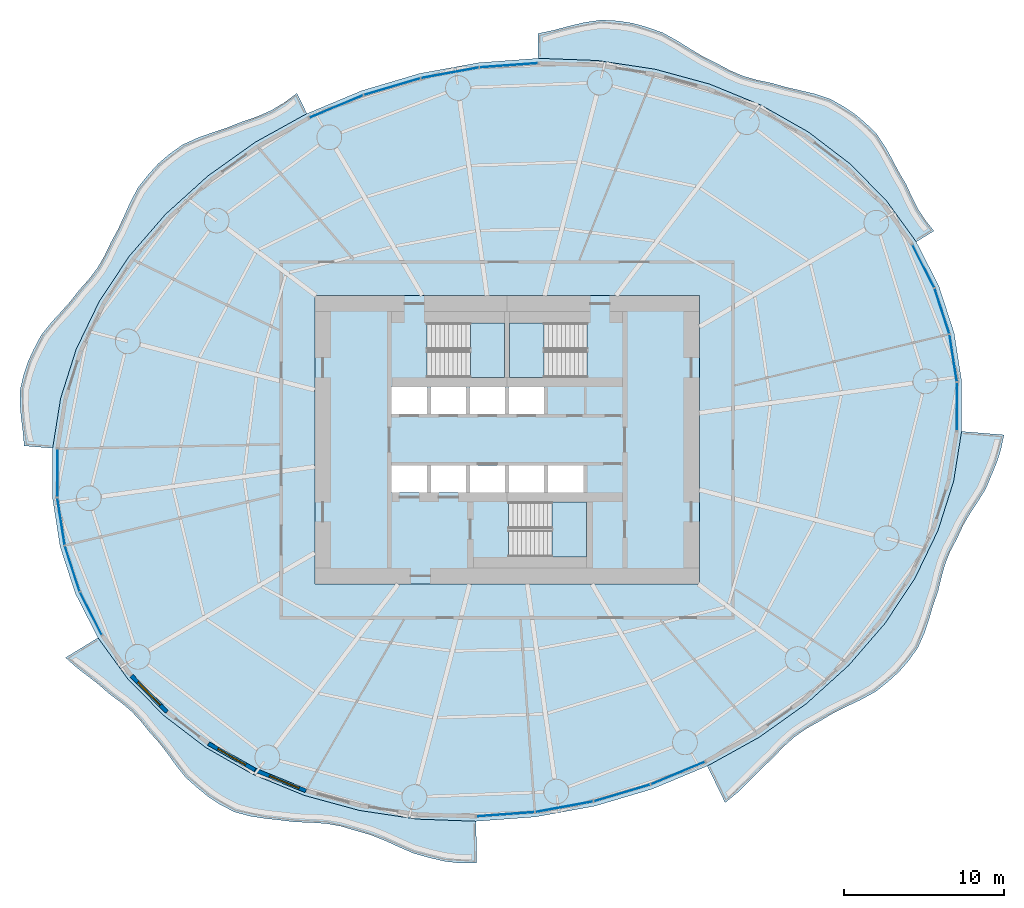
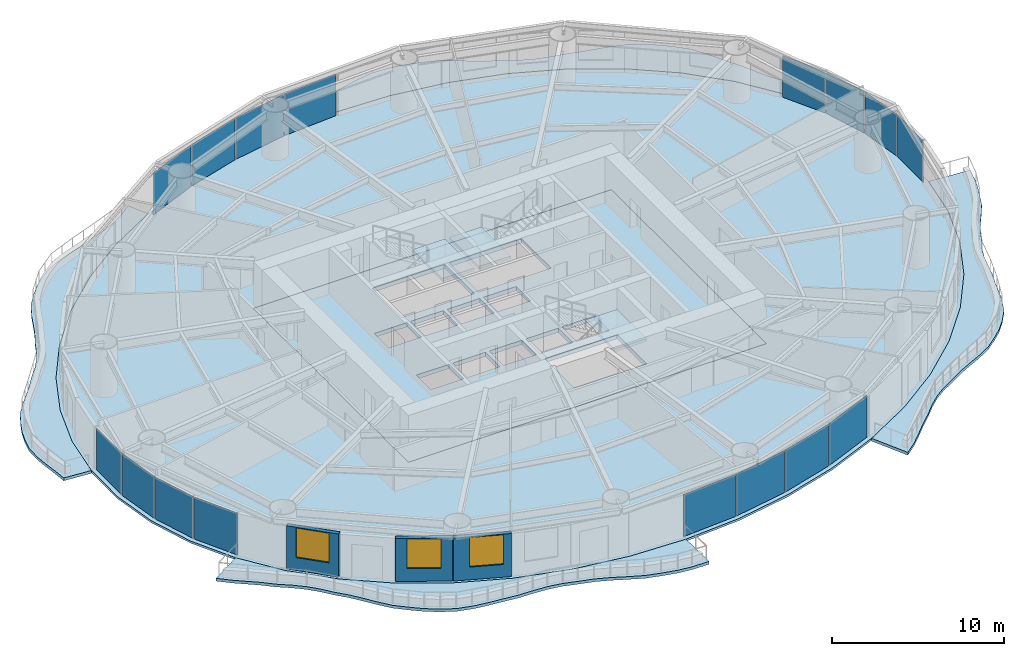
# One storey, part 7 of 16: 16 plates, 9 slabs, 3 walls, 3 windows, 3 openings, 19 elements without a shape of their own.
"""IFC4 building model written with IfcOpenShell, lengths in metres."""

from ifc_helpers import new_model, si_unit, direction, frame, frame_2d, origin, origin_2d, place, context, subcontext, project, spatial, polyline, rectangle, outline, extrude, material, layer, layer_set, type_object, element, fill, aggregate, save


model = new_model("IFC4")

# Units and contexts
model_context = context("Model", 3, precision=1e-05, world=origin(), true_north=direction((0.0, 1.0)))
body_context = subcontext(model_context, "Body", "Model", "MODEL_VIEW")
ifc_project = project(units=[si_unit("LENGTHUNIT", "METRE"), si_unit("AREAUNIT", "SQUARE_METRE"), si_unit("VOLUMEUNIT", "CUBIC_METRE"), si_unit("PLANEANGLEUNIT", "RADIAN"), si_unit("MASSUNIT", "GRAM", prefix="KILO")], contexts=[model_context])

# Site, building, storey
site_placement = place(None, origin())
site = spatial("IfcSite", under=ifc_project, at=site_placement, CompositionType="ELEMENT")
building_placement = place(site_placement, origin())
building = spatial("IfcBuilding", under=site, at=building_placement, Name="Vermilion Reach Broadcast Tower", CompositionType="ELEMENT")
storey_placement = place(building_placement, frame((0.0, 0.0, 88.60009765625)))
storey = spatial("IfcBuildingStorey", under=building, at=storey_placement, Name="L19", CompositionType="ELEMENT", Elevation=88.60009765625)

# Slabs
ifc_material_1 = material(Name="Concrete C40/50", Category="concrete")
ifc_layer_1 = layer(ifc_material_1, 0.199951171875)
ifc_layer_set_1 = layer_set([ifc_layer_1], Name="Balcony slab 200")
slab_type_1 = type_object("IfcSlabType", Name="Balcony slab 200", PredefinedType="FLOOR", material=ifc_layer_set_1)
placement_1 = place(storey_placement, frame((0.0, 0.0, -0.2001953125)))
element("IfcSlab", 1, at=placement_1, inside=storey, type_object=slab_type_1, Name="Balcony slab L19 group 1", PredefinedType="FLOOR", context=body_context, shape_type="SweptSolid", body=[
    extrude(outline(polyline([(19.532470703125, 12.35595703125), (17.682861328125, 14.9072265625), (15.427978515625, 17.203369140625), (12.806640625, 19.205322265625), (9.86328125, 20.87841796875), (6.648681640625, 22.194580078125), (3.217529296875, 23.130615234375), (-0.371337890625, 23.671142578125), (-4.056396484375, 23.806640625), (-4.08447265625, 25.351806640625), (-3.069091796875, 25.5703125), (-2.1376953125, 25.81591796875), (-1.206787109375, 26.041015625), (-0.13525390625, 26.198974609375), (0.918701171875, 26.14453125), (1.8154296875, 26.006103515625), (2.6962890625, 25.762939453125), (3.69873046875, 25.41162109375), (4.621826171875, 24.8994140625), (5.408447265625, 24.405029296875), (6.200927734375, 23.931396484375), (7.08935546875, 23.49169921875), (7.931640625, 23.036376953125), (8.7333984375, 22.70263671875), (9.572021484375, 22.45947265625), (10.533935546875, 22.25732421875), (11.46923828125, 21.990966796875), (12.33154296875, 21.795166015625), (13.189453125, 21.591552734375), (14.171875, 21.2685546875), (15.04052734375, 20.77197265625), (15.7255859375, 20.310546875), (16.356201171875, 19.77783203125), (17.076416015625, 19.0703125), (17.630126953125, 18.23828125), (18.029541015625, 17.502685546875), (18.418701171875, 16.757568359375), (18.902587890625, 15.938232421875), (19.287353515625, 15.097412109375), (19.653564453125, 14.389892578125), (20.082275390625, 13.7275390625), (20.6357421875, 13.032470703125), (19.532470703125, 12.35595703125)])), origin(), (0.0, 0.0, 1.0), 0.2001953125),
])
element("IfcSlab", 2, at=placement_1, inside=storey, type_object=slab_type_1, Name="Balcony slab L19 group 2", PredefinedType="FLOOR", context=body_context, shape_type="SweptSolid", body=[
    extrude(outline(polyline([(-18.4970703125, 20.355712890625), (-21.722900390625, 18.56884765625), (-24.679443359375, 16.464111328125), (-27.316650390625, 14.07763671875), (-29.589111328125, 11.450439453125), (-31.457763671875, 8.62744140625), (-32.890869140625, 5.656494140625), (-33.864013671875, 2.589111328125), (-34.3603515625, -0.522705078125), (-36.135498046875, -0.37890625), (-36.2255859375, 0.572509765625), (-36.32958984375, 1.38671875), (-36.399658203125, 2.19580078125), (-36.382568359375, 3.185791015625), (-36.1435546875, 4.15625), (-35.8818359375, 4.917236328125), (-35.54150390625, 5.6533203125), (-35.08349609375, 6.528076171875), (-34.447509765625, 7.322998046875), (-33.8642578125, 7.957275390625), (-33.28955078125, 8.595458984375), (-32.708740234375, 9.3388671875), (-32.07373046875, 10.050048828125), (-31.565673828125, 10.72900390625), (-31.136474609375, 11.459716796875), (-30.72998046875, 12.31591796875), (-30.260498046875, 13.179443359375), (-29.884765625, 14.00244140625), (-29.514892578125, 14.830810546875), (-29.02734375, 15.75048828125), (-28.37646484375, 16.57421875), (-27.77294921875, 17.232177734375), (-27.099853515625, 17.813720703125), (-26.2509765625, 18.419189453125), (-25.27197265625, 18.86083984375), (-24.381103515625, 19.174072265625), (-23.48291015625, 19.476806640625), (-22.53173828125, 19.852783203125), (-21.563232421875, 20.183349609375), (-20.71728515625, 20.558349609375), (-19.925048828125, 21.03076171875), (-19.1162109375, 21.63427734375), (-18.4970703125, 20.355712890625)])), origin(), (0.0, 0.0, 1.0), 0.2001953125),
])
element("IfcSlab", 3, at=placement_1, inside=storey, type_object=slab_type_1, Name="Balcony slab L19 group 3", PredefinedType="FLOOR", context=body_context, shape_type="SweptSolid", body=[
    extrude(outline(polyline([(-31.532470703125, -12.35595703125), (-29.682861328125, -14.9072265625), (-27.427978515625, -17.203369140625), (-24.806640625, -19.205322265625), (-21.86328125, -20.87841796875), (-18.648681640625, -22.194580078125), (-15.217529296875, -23.130615234375), (-11.628662109375, -23.671142578125), (-7.943603515625, -23.806640625), (-7.89599609375, -26.424072265625), (-8.962158203125, -26.418701171875), (-9.88037109375, -26.30712890625), (-10.795166015625, -26.096923828125), (-11.82861328125, -25.811279296875), (-12.8046875, -25.386962890625), (-13.662841796875, -24.992431640625), (-14.52880859375, -24.650146484375), (-15.481201171875, -24.380859375), (-16.405517578125, -24.107177734375), (-17.28515625, -23.95263671875), (-18.1884765625, -23.88623046875), (-19.21240234375, -23.854248046875), (-20.214599609375, -23.7275390625), (-21.1142578125, -23.63330078125), (-21.9970703125, -23.497314453125), (-23.0068359375, -23.229248046875), (-23.90869140625, -22.763671875), (-24.6181640625, -22.299072265625), (-25.28466796875, -21.7587890625), (-26.049560546875, -21.083740234375), (-26.678955078125, -20.298583984375), (-27.18310546875, -19.60009765625), (-27.7021484375, -18.921142578125), (-28.3310546875, -18.22607421875), (-28.8955078125, -17.51708984375), (-29.45166015625, -16.935546875), (-30.068115234375, -16.413330078125), (-30.81591796875, -15.865234375), (-31.5068359375, -15.256591796875), (-32.158447265625, -14.755859375), (-32.813232421875, -14.257568359375), (-33.556396484375, -13.596923828125), (-31.532470703125, -12.35595703125)])), origin(), (0.0, 0.0, 1.0), 0.2001953125),
])
element("IfcSlab", 4, at=placement_1, inside=storey, type_object=slab_type_1, Name="Balcony slab L19 group 4", PredefinedType="FLOOR", context=body_context, shape_type="SweptSolid", body=[
    extrude(outline(polyline([(6.4970703125, -20.355712890625), (9.722900390625, -18.56884765625), (12.679443359375, -16.464111328125), (15.316650390625, -14.07763671875), (17.589111328125, -11.450439453125), (19.457763671875, -8.62744140625), (20.890869140625, -5.656494140625), (21.864013671875, -2.589111328125), (22.3603515625, 0.522705078125), (25.0087890625, 0.30810546875), (24.80126953125, -0.664306640625), (24.55126953125, -1.422119140625), (24.2412109375, -2.17041015625), (23.86865234375, -3.06396484375), (23.345947265625, -3.903076171875), (22.885986328125, -4.601318359375), (22.46875, -5.31298828125), (22.087890625, -6.13232421875), (21.6591796875, -6.942626953125), (21.350830078125, -7.70947265625), (21.11669921875, -8.51220703125), (20.892578125, -9.443359375), (20.57080078125, -10.379150390625), (20.31689453125, -11.22607421875), (20.040283203125, -12.05810546875), (19.624755859375, -12.99462890625), (19.018310546875, -13.8349609375), (18.44482421875, -14.487060546875), (17.7978515625, -15.07568359375), (16.9951171875, -15.718994140625), (16.06298828125, -16.2275390625), (15.22265625, -16.6240234375), (14.394775390625, -17.034423828125), (13.544677734375, -17.540283203125), (12.675048828125, -18.022216796875), (11.932373046875, -18.543701171875), (11.25146484375, -19.15185546875), (10.552001953125, -19.885009765625), (9.793701171875, -20.599365234375), (9.122802734375, -21.290771484375), (8.441162109375, -21.962646484375), (7.6064453125, -22.646484375), (6.4970703125, -20.355712890625)])), origin(), (0.0, 0.0, 1.0), 0.2001953125),
])
ifc_material_2 = material(Name="Concrete C40", Category="concrete")
ifc_layer_2 = layer(ifc_material_2, 0.300048828125)
ifc_layer_set_2 = layer_set([ifc_layer_2], Name="Core floor slab 300 mm Concrete C40")
slab_type_2 = type_object("IfcSlabType", Name="Core floor slab 300 mm Concrete C40", PredefinedType="FLOOR", material=ifc_layer_set_2)
slab_5_placement = place(storey_placement, frame((0.0, 0.0, -0.300048828125)))
element("IfcSlab", 5, at=slab_5_placement, inside=storey, type_object=slab_type_2, Name="L19 core floor", PredefinedType="FLOOR", context=body_context, shape_type="SweptSolid", body=[
    extrude(outline(polyline([(-18.0, -9.0), (6.0, -9.0), (6.0, 9.0), (-18.0, 9.0), (-18.0, -9.0)]), holes=[polyline([(-13.199951171875, 1.60009765625), (-11.00830078125, 1.60009765625), (-11.00830078125, 3.280029296875), (-13.199951171875, 3.280029296875), (-13.199951171875, 1.60009765625)]), polyline([(-10.75830078125, 1.60009765625), (-8.566650390625, 1.60009765625), (-8.566650390625, 3.280029296875), (-10.75830078125, 3.280029296875), (-10.75830078125, 1.60009765625)]), polyline([(-8.316650390625, 1.60009765625), (-6.125, 1.60009765625), (-6.125, 3.280029296875), (-8.316650390625, 3.280029296875), (-8.316650390625, 1.60009765625)]), polyline([(-5.875, 1.60009765625), (-3.683349609375, 1.60009765625), (-3.683349609375, 3.280029296875), (-5.875, 3.280029296875), (-5.875, 1.60009765625)]), polyline([(-13.199951171875, -3.280029296875), (-11.00830078125, -3.280029296875), (-11.00830078125, -1.60009765625), (-13.199951171875, -1.60009765625), (-13.199951171875, -3.280029296875)]), polyline([(-10.75830078125, -3.280029296875), (-8.566650390625, -3.280029296875), (-8.566650390625, -1.60009765625), (-10.75830078125, -1.60009765625), (-10.75830078125, -3.280029296875)]), polyline([(-8.316650390625, -3.280029296875), (-6.125, -3.280029296875), (-6.125, -1.60009765625), (-8.316650390625, -1.60009765625), (-8.316650390625, -3.280029296875)]), polyline([(-5.875, -3.280029296875), (-3.683349609375, -3.280029296875), (-3.683349609375, -1.60009765625), (-5.875, -1.60009765625), (-5.875, -3.280029296875)]), polyline([(-3.433349609375, -3.280029296875), (-1.24169921875, -3.280029296875), (-1.24169921875, -1.60009765625), (-3.433349609375, -1.60009765625), (-3.433349609375, -3.280029296875)]), polyline([(-10.999267578125, 3.8798828125), (-6.14990234375, 3.8798828125), (-6.14990234375, 7.300048828125), (-10.999267578125, 7.300048828125), (-10.999267578125, 3.8798828125)]), polyline([(-1.000732421875, 7.300048828125), (-5.85009765625, 7.300048828125), (-5.85009765625, 3.8798828125), (-1.000732421875, 3.8798828125), (-1.000732421875, 7.300048828125)]), polyline([(-5.8994140625, -7.300048828125), (-1.050048828125, -7.300048828125), (-1.050048828125, -3.8798828125), (-5.8994140625, -3.8798828125), (-5.8994140625, -7.300048828125)])]), origin(), (0.0, 0.0, 1.0), 0.300048828125),
])

# Stair, slab
ifc_material_3 = material(Name="Concrete C40", Category="concrete")
stair_type = type_object("IfcStairType", Name="Exit stair RC 22 risers 164 mm", PredefinedType="HALF_TURN_STAIR", material=ifc_material_3)
placement_2 = place(storey_placement, origin())
stair_1 = element("IfcStair", 6, at=placement_2, inside=storey, type_object=stair_type, Name="L19 Exit stair ST1", PredefinedType="HALF_TURN_STAIR")
ifc_material_4 = material(Name="Concrete C40", Category="concrete")
ifc_layer_3 = layer(ifc_material_4, 0.199951171875)
ifc_layer_set_3 = layer_set([ifc_layer_3], Name="Exit stair landing Concrete C40")
slab_type_3 = type_object("IfcSlabType", Name="Exit stair landing Concrete C40", PredefinedType="LANDING", material=ifc_layer_set_3)
placement_3 = place(storey_placement, frame((0.0, 0.0, 1.599853515625)))
slab_6 = element("IfcSlab", 7, at=placement_3, type_object=slab_type_3, Name="ST1 landing 1", PredefinedType="LANDING", context=body_context, shape_type="SweptSolid", body=[
    extrude(outline(polyline([(-8.300048828125, 3.8798828125), (-6.14990234375, 3.8798828125), (-6.14990234375, 7.300048828125), (-8.300048828125, 7.300048828125), (-8.300048828125, 3.8798828125)])), origin(), (0.0, 0.0, 1.0), 0.199951171875),
])
aggregate(stair_1, [slab_6])

stair_2 = element("IfcStair", 8, at=placement_2, inside=storey, type_object=stair_type, Name="L19 Exit stair ST2", PredefinedType="HALF_TURN_STAIR")
slab_7 = element("IfcSlab", 9, at=placement_3, type_object=slab_type_3, Name="ST2 landing 1", PredefinedType="LANDING", context=body_context, shape_type="SweptSolid", body=[
    extrude(outline(polyline([(-3.699951171875, 7.300048828125), (-5.85009765625, 7.300048828125), (-5.85009765625, 3.8798828125), (-3.699951171875, 3.8798828125), (-3.699951171875, 7.300048828125)])), origin(), (0.0, 0.0, 1.0), 0.199951171875),
])
aggregate(stair_2, [slab_7])

stair_3 = element("IfcStair", 10, at=placement_2, inside=storey, type_object=stair_type, Name="L19 Exit stair ST3", PredefinedType="HALF_TURN_STAIR")
slab_8 = element("IfcSlab", 11, at=placement_3, type_object=slab_type_3, Name="ST3 landing 1", PredefinedType="LANDING", context=body_context, shape_type="SweptSolid", body=[
    extrude(outline(polyline([(-3.199951171875, -7.300048828125), (-1.050048828125, -7.300048828125), (-1.050048828125, -3.8798828125), (-3.199951171875, -3.8798828125), (-3.199951171875, -7.300048828125)])), origin(), (0.0, 0.0, 1.0), 0.199951171875),
])
aggregate(stair_3, [slab_8])

# Slab
ifc_material_5 = material(Name="Concrete C40", Category="concrete")
ifc_layer_4 = layer(ifc_material_5, 0.14990234375)
ifc_layer_set_4 = layer_set([ifc_layer_4], Name="Floor slab Concrete C40 composite 150")
slab_type_4 = type_object("IfcSlabType", Name="Floor slab Concrete C40 composite 150", PredefinedType="FLOOR", material=ifc_layer_set_4)
slab_9_placement = place(storey_placement, frame((0.0, 0.0, -0.150146484375)))
element("IfcSlab", 12, at=slab_9_placement, inside=storey, type_object=slab_type_4, Name="Floor slab L19", PredefinedType="FLOOR", context=body_context, shape_type="SweptSolid", body=[
    extrude(outline(polyline([(21.89697265625, 6.66650390625), (20.9453125, 9.593505859375), (19.532470703125, 12.35595703125), (17.682861328125, 14.9072265625), (15.427978515625, 17.203369140625), (12.806640625, 19.205322265625), (9.86328125, 20.87841796875), (6.648681640625, 22.194580078125), (3.217529296875, 23.130615234375), (-0.371337890625, 23.671142578125), (-4.056396484375, 23.806640625), (-7.77490234375, 23.53466796875), (-11.462890625, 22.860107421875), (-15.057373046875, 21.79443359375), (-18.4970703125, 20.355712890625), (-21.722900390625, 18.56884765625), (-24.679443359375, 16.464111328125), (-27.316650390625, 14.07763671875), (-29.589111328125, 11.450439453125), (-31.457763671875, 8.62744140625), (-32.890869140625, 5.656494140625), (-33.864013671875, 2.589111328125), (-34.3603515625, -0.522705078125), (-34.371337890625, -3.625732421875), (-33.89697265625, -6.66650390625), (-32.9453125, -9.593505859375), (-31.532470703125, -12.35595703125), (-29.682861328125, -14.9072265625), (-27.427978515625, -17.203369140625), (-24.806640625, -19.205322265625), (-21.86328125, -20.87841796875), (-18.648681640625, -22.194580078125), (-15.217529296875, -23.130615234375), (-11.628662109375, -23.671142578125), (-7.943603515625, -23.806640625), (-4.22509765625, -23.53466796875), (-0.537109375, -22.860107421875), (3.057373046875, -21.79443359375), (6.4970703125, -20.355712890625), (9.722900390625, -18.56884765625), (12.679443359375, -16.464111328125), (15.316650390625, -14.07763671875), (17.589111328125, -11.450439453125), (19.457763671875, -8.62744140625), (20.890869140625, -5.656494140625), (21.864013671875, -2.589111328125), (22.3603515625, 0.522705078125), (22.371337890625, 3.625732421875), (21.89697265625, 6.66650390625)]), holes=[polyline([(-18.0, -9.0), (6.0, -9.0), (6.0, 9.0), (-18.0, 9.0), (-18.0, -9.0)])]), origin(), (0.0, 0.0, 1.0), 0.150146484375),
])

# Curtain wall, plate
ifc_material_6 = material(Name="Low-e laminated clear glass in aluminium frame", Category="aluminium")
curtain_wall_type = type_object("IfcCurtainWallType", Name="Slot curtain wall", PredefinedType="NOTDEFINED", material=ifc_material_6)
curtain_wall_1 = element("IfcCurtainWall", 13, at=placement_2, inside=storey, type_object=curtain_wall_type, Name="Slot curtain wall L19 46", PredefinedType="NOTDEFINED")
ifc_material_7 = material(Name="Low-e laminated clear glass", Category="glass")
ifc_layer_5 = layer(ifc_material_7, 0.028076171875)
ifc_layer_set_5 = layer_set([ifc_layer_5], Name="Slot glass panel")
plate_type = type_object("IfcPlateType", Name="Slot glass panel", PredefinedType="CURTAIN_PANEL", material=ifc_layer_set_5)
plate_1_placement = place(storey_placement, frame((22.06689453125, 2.0751953125, 0.0), z_axis=(0.0, 0.0, 1.0), x_axis=(0.003569423742, 0.999993629587, 0.0)))
plate_1 = element("IfcPlate", 14, at=plate_1_placement, type_object=plate_type, Name="Slot glass panel L19 46", PredefinedType="CURTAIN_PANEL", context=body_context, shape_type="SweptSolid", body=[
    extrude(rectangle(XDim=2.97607421875, YDim=0.028076171875, at=origin_2d()), origin(), (0.0, 0.0, 1.0), 2.949951171875),
])
aggregate(curtain_wall_1, [plate_1])

curtain_wall_2 = element("IfcCurtainWall", 15, at=placement_2, inside=storey, type_object=curtain_wall_type, Name="Slot curtain wall L19 47", PredefinedType="NOTDEFINED")
plate_2_placement = place(storey_placement, frame((21.838623046875, 5.10009765625, 0.0), z_axis=(0.0, 0.0, 1.0), x_axis=(-0.154137145896, 0.988049462454, 0.0)))
plate_2 = element("IfcPlate", 16, at=plate_2_placement, type_object=plate_type, Name="Slot glass panel L19 47", PredefinedType="CURTAIN_PANEL", context=body_context, shape_type="SweptSolid", body=[
    extrude(rectangle(XDim=2.949951171875, YDim=0.028076171875, at=origin_2d()), origin(), (0.0, 0.0, 1.0), 2.949951171875),
])
aggregate(curtain_wall_2, [plate_2])

curtain_wall_3 = element("IfcCurtainWall", 17, at=placement_2, inside=storey, type_object=curtain_wall_type, Name="Slot curtain wall L19 00", PredefinedType="NOTDEFINED")
plate_3_placement = place(storey_placement, frame((21.13671875, 8.03759765625, 0.0), z_axis=(0.0, 0.0, 1.0), x_axis=(-0.309236817181, 0.950985063447, 0.0)))
plate_3 = element("IfcPlate", 18, at=plate_3_placement, type_object=plate_type, Name="Slot glass panel L19 00", PredefinedType="CURTAIN_PANEL", context=body_context, shape_type="SweptSolid", body=[
    extrude(rectangle(XDim=2.949951171875, YDim=0.028076171875, at=origin_2d()), origin(), (0.0, 0.0, 1.0), 2.949951171875),
])
aggregate(curtain_wall_3, [plate_3])

curtain_wall_4 = element("IfcCurtainWall", 19, at=placement_2, inside=storey, type_object=curtain_wall_type, Name="Slot curtain wall L19 01", PredefinedType="NOTDEFINED")
plate_4_placement = place(storey_placement, frame((19.97265625, 10.838623046875, 0.0), z_axis=(0.0, 0.0, 1.0), x_axis=(-0.455304363881, 0.89033585586, 0.0)))
plate_4 = element("IfcPlate", 20, at=plate_4_placement, type_object=plate_type, Name="Slot glass panel L19 01", PredefinedType="CURTAIN_PANEL", context=body_context, shape_type="SweptSolid", body=[
    extrude(rectangle(XDim=2.97607421875, YDim=0.028076171875, at=origin_2d()), origin(), (0.0, 0.0, 1.0), 2.949951171875),
])
aggregate(curtain_wall_4, [plate_4])

curtain_wall_5 = element("IfcCurtainWall", 21, at=placement_2, inside=storey, type_object=curtain_wall_type, Name="Slot curtain wall L19 10", PredefinedType="NOTDEFINED")
plate_5_placement = place(storey_placement, frame((-5.893798828125, 23.371826171875, 0.0), z_axis=(0.0, 0.0, 1.0), x_axis=(-0.99733686782, -0.072932654465, 0.0)))
plate_5 = element("IfcPlate", 22, at=plate_5_placement, type_object=plate_type, Name="Slot glass panel L19 10", PredefinedType="CURTAIN_PANEL", context=body_context, shape_type="SweptSolid", body=[
    extrude(rectangle(XDim=3.61572265625, YDim=0.028076171875, at=origin_2d()), origin(), (0.0, 0.0, 1.0), 2.949951171875),
])
aggregate(curtain_wall_5, [plate_5])

curtain_wall_6 = element("IfcCurtainWall", 23, at=placement_2, inside=storey, type_object=curtain_wall_type, Name="Slot curtain wall L19 11", PredefinedType="NOTDEFINED")
plate_6_placement = place(storey_placement, frame((-9.56494140625, 22.902587890625, 0.0), z_axis=(0.0, 0.0, 1.0), x_axis=(-0.983679429923, -0.179929928437, 0.0)))
plate_6 = element("IfcPlate", 24, at=plate_6_placement, type_object=plate_type, Name="Slot glass panel L19 11", PredefinedType="CURTAIN_PANEL", context=body_context, shape_type="SweptSolid", body=[
    extrude(rectangle(XDim=3.636962890625, YDim=0.028076171875, at=origin_2d()), origin(), (0.0, 0.0, 1.0), 2.949951171875),
])
aggregate(curtain_wall_6, [plate_6])

curtain_wall_7 = element("IfcCurtainWall", 25, at=placement_2, inside=storey, type_object=curtain_wall_type, Name="Slot curtain wall L19 12", PredefinedType="NOTDEFINED")
plate_7_placement = place(storey_placement, frame((-13.175048828125, 22.0400390625, 0.0), z_axis=(0.0, 0.0, 1.0), x_axis=(-0.958748769568, -0.284254809725, 0.0)))
plate_7 = element("IfcPlate", 26, at=plate_7_placement, type_object=plate_type, Name="Slot glass panel L19 12", PredefinedType="CURTAIN_PANEL", context=body_context, shape_type="SweptSolid", body=[
    extrude(rectangle(XDim=3.636962890625, YDim=0.028076171875, at=origin_2d()), origin(), (0.0, 0.0, 1.0), 2.949951171875),
])
aggregate(curtain_wall_7, [plate_7])

curtain_wall_8 = element("IfcCurtainWall", 27, at=placement_2, inside=storey, type_object=curtain_wall_type, Name="Slot curtain wall L19 13", PredefinedType="NOTDEFINED")
plate_8_placement = place(storey_placement, frame((-16.66162109375, 20.798583984375, 0.0), z_axis=(0.0, 0.0, 1.0), x_axis=(-0.922554571862, -0.3858666375, 0.0)))
plate_8 = element("IfcPlate", 28, at=plate_8_placement, type_object=plate_type, Name="Slot glass panel L19 13", PredefinedType="CURTAIN_PANEL", context=body_context, shape_type="SweptSolid", body=[
    extrude(rectangle(XDim=3.61572265625, YDim=0.028076171875, at=origin_2d()), origin(), (0.0, 0.0, 1.0), 2.949951171875),
])
aggregate(curtain_wall_8, [plate_8])

curtain_wall_9 = element("IfcCurtainWall", 29, at=placement_2, inside=storey, type_object=curtain_wall_type, Name="Slot curtain wall L19 22", PredefinedType="NOTDEFINED")
plate_9_placement = place(storey_placement, frame((-34.06689453125, -2.0751953125, 0.0), z_axis=(0.0, 0.0, 1.0), x_axis=(-0.003569423742, -0.999993629587, 0.0)))
plate_9 = element("IfcPlate", 30, at=plate_9_placement, type_object=plate_type, Name="Slot glass panel L19 22", PredefinedType="CURTAIN_PANEL", context=body_context, shape_type="SweptSolid", body=[
    extrude(rectangle(XDim=2.97607421875, YDim=0.028076171875, at=origin_2d()), origin(), (0.0, 0.0, 1.0), 2.949951171875),
])
aggregate(curtain_wall_9, [plate_9])

curtain_wall_10 = element("IfcCurtainWall", 31, at=placement_2, inside=storey, type_object=curtain_wall_type, Name="Slot curtain wall L19 23", PredefinedType="NOTDEFINED")
plate_10_placement = place(storey_placement, frame((-33.838623046875, -5.10009765625, 0.0), z_axis=(0.0, 0.0, 1.0), x_axis=(0.154137145896, -0.988049462454, 0.0)))
plate_10 = element("IfcPlate", 32, at=plate_10_placement, type_object=plate_type, Name="Slot glass panel L19 23", PredefinedType="CURTAIN_PANEL", context=body_context, shape_type="SweptSolid", body=[
    extrude(rectangle(XDim=2.949951171875, YDim=0.028076171875, at=origin_2d()), origin(), (0.0, 0.0, 1.0), 2.949951171875),
])
aggregate(curtain_wall_10, [plate_10])

curtain_wall_11 = element("IfcCurtainWall", 33, at=placement_2, inside=storey, type_object=curtain_wall_type, Name="Slot curtain wall L19 24", PredefinedType="NOTDEFINED")
plate_11_placement = place(storey_placement, frame((-33.13671875, -8.03759765625, 0.0), z_axis=(0.0, 0.0, 1.0), x_axis=(0.309236817181, -0.950985063447, 0.0)))
plate_11 = element("IfcPlate", 34, at=plate_11_placement, type_object=plate_type, Name="Slot glass panel L19 24", PredefinedType="CURTAIN_PANEL", context=body_context, shape_type="SweptSolid", body=[
    extrude(rectangle(XDim=2.949951171875, YDim=0.028076171875, at=origin_2d()), origin(), (0.0, 0.0, 1.0), 2.949951171875),
])
aggregate(curtain_wall_11, [plate_11])

curtain_wall_12 = element("IfcCurtainWall", 35, at=placement_2, inside=storey, type_object=curtain_wall_type, Name="Slot curtain wall L19 25", PredefinedType="NOTDEFINED")
plate_12_placement = place(storey_placement, frame((-31.97265625, -10.838623046875, 0.0), z_axis=(0.0, 0.0, 1.0), x_axis=(0.455304363881, -0.89033585586, 0.0)))
plate_12 = element("IfcPlate", 36, at=plate_12_placement, type_object=plate_type, Name="Slot glass panel L19 25", PredefinedType="CURTAIN_PANEL", context=body_context, shape_type="SweptSolid", body=[
    extrude(rectangle(XDim=2.97607421875, YDim=0.028076171875, at=origin_2d()), origin(), (0.0, 0.0, 1.0), 2.949951171875),
])
aggregate(curtain_wall_12, [plate_12])

curtain_wall_13 = element("IfcCurtainWall", 37, at=placement_2, inside=storey, type_object=curtain_wall_type, Name="Slot curtain wall L19 34", PredefinedType="NOTDEFINED")
plate_13_placement = place(storey_placement, frame((-6.106201171875, -23.371826171875, 0.0), z_axis=(0.0, 0.0, 1.0), x_axis=(0.99733686782, 0.072932654465, 0.0)))
plate_13 = element("IfcPlate", 38, at=plate_13_placement, type_object=plate_type, Name="Slot glass panel L19 34", PredefinedType="CURTAIN_PANEL", context=body_context, shape_type="SweptSolid", body=[
    extrude(rectangle(XDim=3.61572265625, YDim=0.028076171875, at=origin_2d()), origin(), (0.0, 0.0, 1.0), 2.949951171875),
])
aggregate(curtain_wall_13, [plate_13])

curtain_wall_14 = element("IfcCurtainWall", 39, at=placement_2, inside=storey, type_object=curtain_wall_type, Name="Slot curtain wall L19 35", PredefinedType="NOTDEFINED")
plate_14_placement = place(storey_placement, frame((-2.43505859375, -22.902587890625, 0.0), z_axis=(0.0, 0.0, 1.0), x_axis=(0.983679429923, 0.179929928437, 0.0)))
plate_14 = element("IfcPlate", 40, at=plate_14_placement, type_object=plate_type, Name="Slot glass panel L19 35", PredefinedType="CURTAIN_PANEL", context=body_context, shape_type="SweptSolid", body=[
    extrude(rectangle(XDim=3.636962890625, YDim=0.028076171875, at=origin_2d()), origin(), (0.0, 0.0, 1.0), 2.949951171875),
])
aggregate(curtain_wall_14, [plate_14])

curtain_wall_15 = element("IfcCurtainWall", 41, at=placement_2, inside=storey, type_object=curtain_wall_type, Name="Slot curtain wall L19 36", PredefinedType="NOTDEFINED")
plate_15_placement = place(storey_placement, frame((1.175048828125, -22.0400390625, 0.0), z_axis=(0.0, 0.0, 1.0), x_axis=(0.958748769568, 0.284254809725, 0.0)))
plate_15 = element("IfcPlate", 42, at=plate_15_placement, type_object=plate_type, Name="Slot glass panel L19 36", PredefinedType="CURTAIN_PANEL", context=body_context, shape_type="SweptSolid", body=[
    extrude(rectangle(XDim=3.636962890625, YDim=0.028076171875, at=origin_2d()), origin(), (0.0, 0.0, 1.0), 2.949951171875),
])
aggregate(curtain_wall_15, [plate_15])

curtain_wall_16 = element("IfcCurtainWall", 43, at=placement_2, inside=storey, type_object=curtain_wall_type, Name="Slot curtain wall L19 37", PredefinedType="NOTDEFINED")
plate_16_placement = place(storey_placement, frame((4.66162109375, -20.798583984375, 0.0), z_axis=(0.0, 0.0, 1.0), x_axis=(0.922554571862, 0.3858666375, 0.0)))
plate_16 = element("IfcPlate", 44, at=plate_16_placement, type_object=plate_type, Name="Slot glass panel L19 37", PredefinedType="CURTAIN_PANEL", context=body_context, shape_type="SweptSolid", body=[
    extrude(rectangle(XDim=3.61572265625, YDim=0.028076171875, at=origin_2d()), origin(), (0.0, 0.0, 1.0), 2.949951171875),
])
aggregate(curtain_wall_16, [plate_16])

# Wall, opening, window
ifc_material_8 = material(Name="Terracotta rainscreen cladding", Category="masonry")
ifc_layer_6 = layer(ifc_material_8, 0.25)
ifc_layer_set_6 = layer_set([ifc_layer_6], Name="Terracotta rainscreen wall 250")
wall_type = type_object("IfcWallType", Name="Terracotta rainscreen wall 250", PredefinedType="SOLIDWALL", material=ifc_layer_set_6)
wall_1_placement = place(storey_placement, frame((-29.444580078125, -14.722900390625, 0.0), z_axis=(0.0, 0.0, 1.0), x_axis=(0.700641049886, -0.71351392363, 0.0)))
wall_1 = element("IfcWall", 45, at=wall_1_placement, inside=storey, type_object=wall_type, Name="External wall L19 27", PredefinedType="SOLIDWALL", context=body_context, shape_type="SweptSolid", body=[
    extrude(rectangle(XDim=3.148193359375, YDim=0.25, at=frame_2d((1.57421875, 0.0))), origin(), (0.0, 0.0, 1.0), 3.0498046875),
])
opening_1_placement = place(wall_1_placement, frame((0.57421875, 0.0, 0.89990234375)))
opening_1 = element("IfcOpeningElement", 46, at=opening_1_placement, cuts=wall_1, Name="Opening W03", PredefinedType="OPENING", context=body_context, shape_type="SweptSolid", body=[
    extrude(rectangle(XDim=2.0, YDim=2.10009765625, at=frame_2d((1.0, 1.050048828125))), frame((0.0, 0.135009765625, 0.0), z_axis=(0.0, -1.0, 0.0), x_axis=(1.0, 0.0, 0.0)), (0.0, 0.0, 1.0), 0.27001953125),
])
ifc_material_9 = material(Name="Low-e laminated clear glass in aluminium frame", Category="aluminium")
window_type = type_object("IfcWindowType", Name="Punched window 2000 x 2100 sill 900", PartitioningType="SINGLE_PANEL", PredefinedType="WINDOW", material=ifc_material_9)
window_1_placement = place(opening_1_placement, origin())
window_1 = element("IfcWindow", 47, at=window_1_placement, inside=storey, type_object=window_type, Name="Window L19 27", OverallHeight=2.10009765625, OverallWidth=2.0, PartitioningType="SINGLE_PANEL", PredefinedType="WINDOW", context=body_context, shape_type="SweptSolid", body=[
    extrude(rectangle(XDim=2.0, YDim=2.10009765625, at=frame_2d((1.0, 1.050048828125))), frame((0.0, 0.030029296875, 0.0), z_axis=(0.0, -1.0, 0.0), x_axis=(1.0, 0.0, 0.0)), (0.0, 0.0, 1.0), 0.06005859375),
])
fill(opening_1, window_1)

wall_2_placement = place(storey_placement, frame((-24.63037109375, -18.961181640625, 0.0), z_axis=(0.0, 0.0, 1.0), x_axis=(0.869344607867, -0.494206386819, 0.0)))
wall_2 = element("IfcWall", 48, at=wall_2_placement, inside=storey, type_object=wall_type, Name="External wall L19 29", PredefinedType="SOLIDWALL", context=body_context, shape_type="SweptSolid", body=[
    extrude(rectangle(XDim=3.32177734375, YDim=0.25, at=frame_2d((1.660888671875, 0.0))), origin(), (0.0, 0.0, 1.0), 3.0498046875),
])
opening_2_placement = place(wall_2_placement, frame((0.660888671875, 0.0, 0.89990234375)))
opening_2 = element("IfcOpeningElement", 49, at=opening_2_placement, cuts=wall_2, Name="Opening W03", PredefinedType="OPENING", context=body_context, shape_type="SweptSolid", body=[
    extrude(rectangle(XDim=2.0, YDim=2.10009765625, at=frame_2d((1.0, 1.050048828125))), frame((0.0, 0.135009765625, 0.0), z_axis=(0.0, -1.0, 0.0), x_axis=(1.0, 0.0, 0.0)), (0.0, 0.0, 1.0), 0.27001953125),
])
window_2_placement = place(opening_2_placement, origin())
window_2 = element("IfcWindow", 50, at=window_2_placement, inside=storey, type_object=window_type, Name="Window L19 29", OverallHeight=2.10009765625, OverallWidth=2.0, PartitioningType="SINGLE_PANEL", PredefinedType="WINDOW", context=body_context, shape_type="SweptSolid", body=[
    extrude(rectangle(XDim=2.0, YDim=2.10009765625, at=frame_2d((1.0, 1.050048828125))), frame((0.0, 0.030029296875, 0.0), z_axis=(0.0, -1.0, 0.0), x_axis=(1.0, 0.0, 0.0)), (0.0, 0.0, 1.0), 0.06005859375),
])
fill(opening_2, window_2)

wall_3_placement = place(storey_placement, frame((-21.72119140625, -20.61328125, 0.0), z_axis=(0.0, 0.0, 1.0), x_axis=(0.925471723518, -0.378816695735, 0.0)))
wall_3 = element("IfcWall", 51, at=wall_3_placement, inside=storey, type_object=wall_type, Name="External wall L19 30", PredefinedType="SOLIDWALL", context=body_context, shape_type="SweptSolid", body=[
    extrude(rectangle(XDim=3.41259765625, YDim=0.25, at=frame_2d((1.706298828125, 0.0))), origin(), (0.0, 0.0, 1.0), 3.0498046875),
])
opening_3_placement = place(wall_3_placement, frame((0.9560546875, 0.0, 0.89990234375)))
opening_3 = element("IfcOpeningElement", 52, at=opening_3_placement, cuts=wall_3, Name="Opening W03", PredefinedType="OPENING", context=body_context, shape_type="SweptSolid", body=[
    extrude(rectangle(XDim=2.0, YDim=2.10009765625, at=frame_2d((1.0, 1.050048828125))), frame((0.0, 0.135009765625, 0.0), z_axis=(0.0, -1.0, 0.0), x_axis=(1.0, 0.0, 0.0)), (0.0, 0.0, 1.0), 0.27001953125),
])
window_3_placement = place(opening_3_placement, origin())
window_3 = element("IfcWindow", 53, at=window_3_placement, inside=storey, type_object=window_type, Name="Window L19 30", OverallHeight=2.10009765625, OverallWidth=2.0, PartitioningType="SINGLE_PANEL", PredefinedType="WINDOW", context=body_context, shape_type="SweptSolid", body=[
    extrude(rectangle(XDim=2.0, YDim=2.10009765625, at=frame_2d((1.0, 1.050048828125))), frame((0.0, 0.030029296875, 0.0), z_axis=(0.0, -1.0, 0.0), x_axis=(1.0, 0.0, 0.0)), (0.0, 0.0, 1.0), 0.06005859375),
])
fill(opening_3, window_3)

save(model, "model.ifc")
